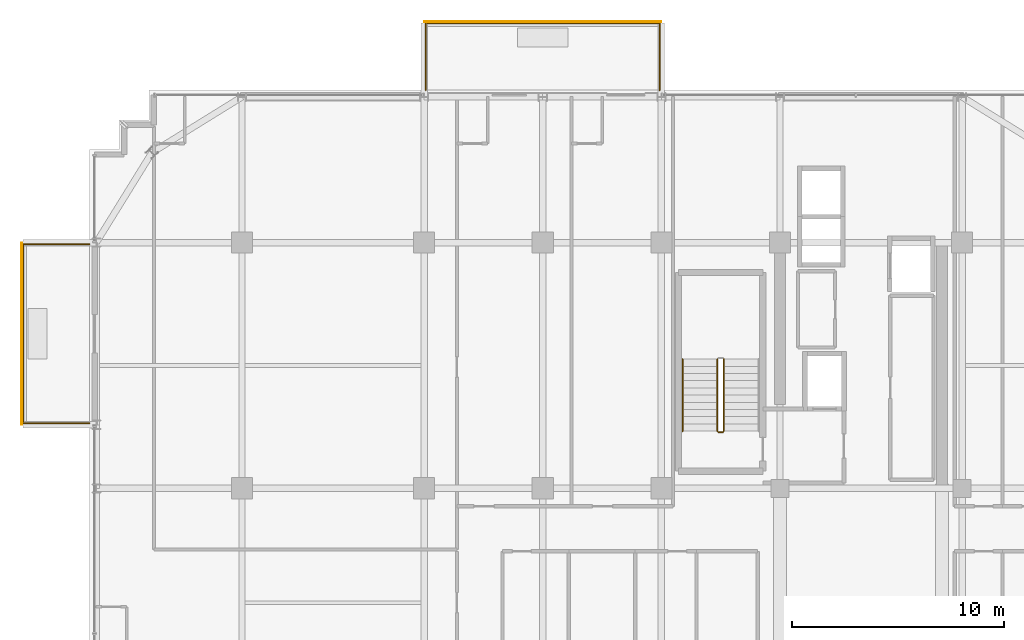
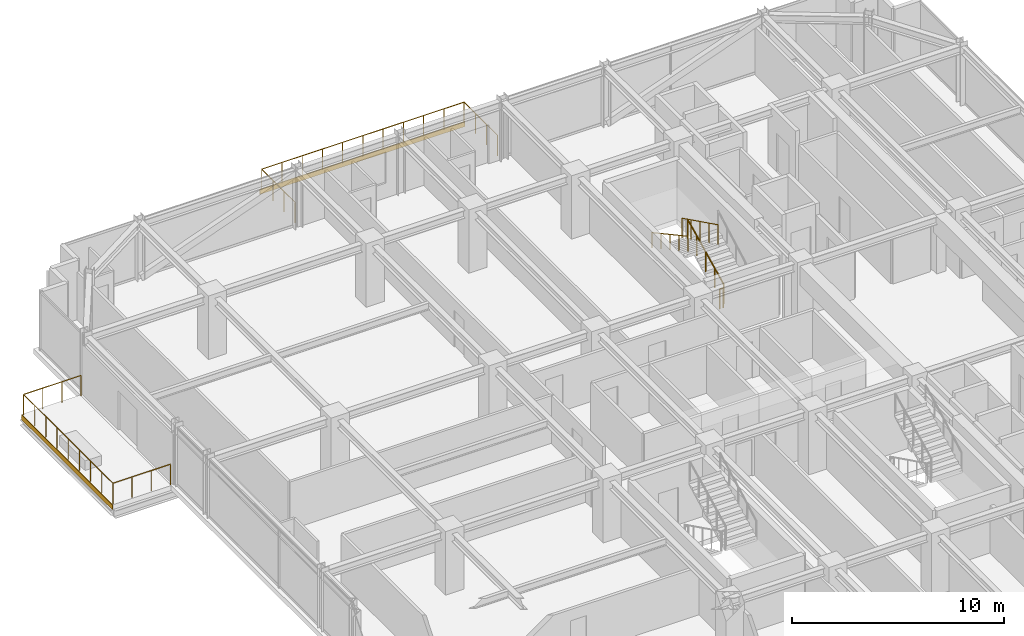
# One storey, part 39 of 41: 6 railings, 2 coverings.
"""IFC4 building model written with IfcOpenShell, lengths in metres."""

from ifc_helpers import new_model, si_unit, direction, frame, origin, origin_2d, place, context, subcontext, project, spatial, rectangle, circle, extrude, source, transform, mapped, material, layer, layer_set, type_object, element, save


model = new_model("IFC4")

# Units and contexts
model_context = context("Model", 3, precision=1e-05, world=origin(), true_north=direction((0.0, 1.0)))
body_context = subcontext(model_context, "Body", "Model", "MODEL_VIEW")
ifc_project = project(units=[si_unit("LENGTHUNIT", "METRE"), si_unit("AREAUNIT", "SQUARE_METRE"), si_unit("VOLUMEUNIT", "CUBIC_METRE"), si_unit("PLANEANGLEUNIT", "RADIAN"), si_unit("MASSUNIT", "GRAM", prefix="KILO")], contexts=[model_context])

# Site, building, storey
site_placement = place(None, origin())
site = spatial("IfcSite", under=ifc_project, at=site_placement, CompositionType="ELEMENT")
building_placement = place(site_placement, origin())
building = spatial("IfcBuilding", under=site, at=building_placement, Name="Nahalor Promenade Grand Hotel", CompositionType="ELEMENT")
storey_placement = place(building_placement, frame((0.0, 0.0, 227.10009765625)))
storey = spatial("IfcBuildingStorey", under=building, at=storey_placement, Name="L58", CompositionType="ELEMENT", Elevation=227.10009765625)

# Railings
ifc_material_1 = material(Name="Anodised Bronze Aluminium EN AW-6063 T6", Category="aluminium")
railing_type_1 = type_object("IfcRailingType", Name="Bronze Balcony Guardrail 1200 mm", PredefinedType="GUARDRAIL", material=ifc_material_1)
railing_1_placement = place(storey_placement, frame((-8.320068359375, 24.199951171875, 0.0)))
element("IfcRailing", 1, at=railing_1_placement, inside=storey, type_object=railing_type_1, Name="L58 Balcony Guardrail 1", PredefinedType="GUARDRAIL", context=body_context, shape_type="SweptSolid", body=[
    extrude(circle(Radius=0.024048, at=origin_2d()), frame((0.0, 0.0, 1.17578125), z_axis=(0.0, 1.0, 0.0), x_axis=(-1.0, 0.0, 0.0)), (0.0, 0.0, 1.0), 3.158203125),
    extrude(circle(Radius=0.024048, at=origin_2d()), frame((0.001953125, 3.16015625, 1.17578125), z_axis=(1.0, 0.0, 0.0), x_axis=(0.0, 1.0, 0.0)), (0.0, 0.0, 1.0), 11.0361328125),
    extrude(circle(Radius=0.024048, at=origin_2d()), frame((11.0400390625, 3.158203125, 1.17578125), z_axis=(0.0, -1.0, 0.0), x_axis=(1.0, 0.0, 0.0)), (0.0, 0.0, 1.0), 3.158203125),
    extrude(circle(Radius=0.020996, at=origin_2d()), origin(), (0.0, 0.0, 1.0), 1.14990234375),
    extrude(circle(Radius=0.020996, at=origin_2d()), frame((0.0, 1.053466796875, 0.0)), (0.0, 0.0, 1.0), 1.14990234375),
    extrude(circle(Radius=0.020996, at=origin_2d()), frame((0.0, 2.106689453125, 0.0)), (0.0, 0.0, 1.0), 1.14990234375),
    extrude(circle(Radius=0.020996, at=origin_2d()), frame((0.0, 3.16015625, 0.0)), (0.0, 0.0, 1.0), 1.14990234375),
    extrude(circle(Radius=0.020996, at=origin_2d()), frame((1.10400390625, 3.16015625, 0.0)), (0.0, 0.0, 1.0), 1.14990234375),
    extrude(circle(Radius=0.020996, at=origin_2d()), frame((2.2080078125, 3.16015625, 0.0)), (0.0, 0.0, 1.0), 1.14990234375),
    extrude(circle(Radius=0.020996, at=origin_2d()), frame((3.31201171875, 3.16015625, 0.0)), (0.0, 0.0, 1.0), 1.14990234375),
    extrude(circle(Radius=0.020996, at=origin_2d()), frame((4.416015625, 3.16015625, 0.0)), (0.0, 0.0, 1.0), 1.14990234375),
    extrude(circle(Radius=0.020996, at=origin_2d()), frame((5.52001953125, 3.16015625, 0.0)), (0.0, 0.0, 1.0), 1.14990234375),
    extrude(circle(Radius=0.020996, at=origin_2d()), frame((6.6240234375, 3.16015625, 0.0)), (0.0, 0.0, 1.0), 1.14990234375),
    extrude(circle(Radius=0.020996, at=origin_2d()), frame((7.72802734375, 3.16015625, 0.0)), (0.0, 0.0, 1.0), 1.14990234375),
    extrude(circle(Radius=0.020996, at=origin_2d()), frame((8.83203125, 3.16015625, 0.0)), (0.0, 0.0, 1.0), 1.14990234375),
    extrude(circle(Radius=0.020996, at=origin_2d()), frame((9.93603515625, 3.16015625, 0.0)), (0.0, 0.0, 1.0), 1.14990234375),
    extrude(circle(Radius=0.020996, at=origin_2d()), frame((11.0400390625, 3.16015625, 0.0)), (0.0, 0.0, 1.0), 1.14990234375),
    extrude(circle(Radius=0.020996, at=origin_2d()), frame((11.0400390625, 2.106689453125, 0.0)), (0.0, 0.0, 1.0), 1.14990234375),
    extrude(circle(Radius=0.020996, at=origin_2d()), frame((11.0400390625, 1.053466796875, 0.0)), (0.0, 0.0, 1.0), 1.14990234375),
    extrude(circle(Radius=0.020996, at=origin_2d()), frame((11.0400390625, 0.0, 0.0)), (0.0, 0.0, 1.0), 1.14990234375),
])
railing_2_placement = place(storey_placement, frame((-24.199951171875, 8.47998046875, 0.0)))
element("IfcRailing", 2, at=railing_2_placement, inside=storey, type_object=railing_type_1, Name="L58 Balcony Guardrail 2", PredefinedType="GUARDRAIL", context=body_context, shape_type="SweptSolid", body=[
    extrude(circle(Radius=0.024048, at=origin_2d()), frame((0.0, 0.0, 1.17578125), z_axis=(-1.0, 0.0, 0.0), x_axis=(0.0, -1.0, 0.0)), (0.0, 0.0, 1.0), 3.128173828125),
    extrude(circle(Radius=0.024048, at=origin_2d()), frame((-3.130126953125, 0.001953125, 1.17578125), z_axis=(0.0, 1.0, 0.0), x_axis=(-1.0, 0.0, 0.0)), (0.0, 0.0, 1.0), 8.43603515625),
    extrude(circle(Radius=0.024048, at=origin_2d()), frame((-3.128173828125, 8.43994140625, 1.17578125), z_axis=(1.0, 0.0, 0.0), x_axis=(0.0, 1.0, 0.0)), (0.0, 0.0, 1.0), 3.128173828125),
    extrude(circle(Radius=0.020996, at=origin_2d()), origin(), (0.0, 0.0, 1.0), 1.14990234375),
    extrude(circle(Radius=0.020996, at=origin_2d()), frame((-1.04345703125, 0.0, 0.0)), (0.0, 0.0, 1.0), 1.14990234375),
    extrude(circle(Radius=0.020996, at=origin_2d()), frame((-2.086669921875, 0.0, 0.0)), (0.0, 0.0, 1.0), 1.14990234375),
    extrude(circle(Radius=0.020996, at=origin_2d()), frame((-3.130126953125, 0.0, 0.0)), (0.0, 0.0, 1.0), 1.14990234375),
    extrude(circle(Radius=0.020996, at=origin_2d()), frame((-3.130126953125, 1.054931640625, 0.0)), (0.0, 0.0, 1.0), 1.14990234375),
    extrude(circle(Radius=0.020996, at=origin_2d()), frame((-3.130126953125, 2.10986328125, 0.0)), (0.0, 0.0, 1.0), 1.14990234375),
    extrude(circle(Radius=0.020996, at=origin_2d()), frame((-3.130126953125, 3.1650390625, 0.0)), (0.0, 0.0, 1.0), 1.14990234375),
    extrude(circle(Radius=0.020996, at=origin_2d()), frame((-3.130126953125, 4.219970703125, 0.0)), (0.0, 0.0, 1.0), 1.14990234375),
    extrude(circle(Radius=0.020996, at=origin_2d()), frame((-3.130126953125, 5.27490234375, 0.0)), (0.0, 0.0, 1.0), 1.14990234375),
    extrude(circle(Radius=0.020996, at=origin_2d()), frame((-3.130126953125, 6.330078125, 0.0)), (0.0, 0.0, 1.0), 1.14990234375),
    extrude(circle(Radius=0.020996, at=origin_2d()), frame((-3.130126953125, 7.385009765625, 0.0)), (0.0, 0.0, 1.0), 1.14990234375),
    extrude(circle(Radius=0.020996, at=origin_2d()), frame((-3.130126953125, 8.43994140625, 0.0)), (0.0, 0.0, 1.0), 1.14990234375),
    extrude(circle(Radius=0.020996, at=origin_2d()), frame((-2.086669921875, 8.43994140625, 0.0)), (0.0, 0.0, 1.0), 1.14990234375),
    extrude(circle(Radius=0.020996, at=origin_2d()), frame((-1.04345703125, 8.43994140625, 0.0)), (0.0, 0.0, 1.0), 1.14990234375),
    extrude(circle(Radius=0.020996, at=origin_2d()), frame((0.0, 8.43994140625, 0.0)), (0.0, 0.0, 1.0), 1.14990234375),
])
ifc_material_2 = material(Name="Steel S355JR", Category="steel")
railing_type_2 = type_object("IfcRailingType", Name="Steel Stair Guardrail 1150 mm", PredefinedType="GUARDRAIL", material=ifc_material_2)
railing_3_placement = place(storey_placement, frame((5.75, 8.10009765625, 0.16796875)))
element("IfcRailing", 3, at=railing_3_placement, inside=storey, type_object=railing_type_2, Name="L58 ST1 stair guard 1", PredefinedType="GUARDRAIL", context=body_context, shape_type="SweptSolid", body=[
    extrude(circle(Radius=0.024048, at=origin_2d()), frame((0.0, 0.0, 1.1259765625), z_axis=(0.0, 0.896324230515, 0.443399226197), x_axis=(-1.0, 0.0, 0.0)), (0.0, 0.0, 1.0), 3.793212890625),
    extrude(circle(Radius=0.020996, at=origin_2d()), origin(), (0.0, 0.0, 1.0), 1.099853515625),
    extrude(circle(Radius=0.020996, at=origin_2d()), frame((0.0, 0.85009765625, 0.42041015625)), (0.0, 0.0, 1.0), 1.099853515625),
    extrude(circle(Radius=0.020996, at=origin_2d()), frame((0.0, 1.699951171875, 0.8408203125)), (0.0, 0.0, 1.0), 1.099853515625),
    extrude(circle(Radius=0.020996, at=origin_2d()), frame((0.0, 2.5498046875, 1.261474609375)), (0.0, 0.0, 1.0), 1.099853515625),
    extrude(circle(Radius=0.020996, at=origin_2d()), frame((0.0, 3.39990234375, 1.681884765625)), (0.0, 0.0, 1.0), 1.099853515625),
])
railing_4_placement = place(storey_placement, frame((5.449951171875, 11.5, 2.01806640625)))
element("IfcRailing", 4, at=railing_4_placement, inside=storey, type_object=railing_type_2, Name="L58 ST1 stair guard 3", PredefinedType="GUARDRAIL", context=body_context, shape_type="SweptSolid", body=[
    extrude(circle(Radius=0.024048, at=origin_2d()), frame((0.0, 0.0, 1.1259765625), z_axis=(0.0, -0.896324230515, 0.443399226197), x_axis=(1.0, 0.0, 0.0)), (0.0, 0.0, 1.0), 3.793212890625),
    extrude(circle(Radius=0.020996, at=origin_2d()), origin(), (0.0, 0.0, 1.0), 1.099853515625),
    extrude(circle(Radius=0.020996, at=origin_2d()), frame((0.0, -0.85009765625, 0.42041015625)), (0.0, 0.0, 1.0), 1.099853515625),
    extrude(circle(Radius=0.020996, at=origin_2d()), frame((0.0, -1.699951171875, 0.8408203125)), (0.0, 0.0, 1.0), 1.099853515625),
    extrude(circle(Radius=0.020996, at=origin_2d()), frame((0.0, -2.5498046875, 1.261474609375)), (0.0, 0.0, 1.0), 1.099853515625),
    extrude(circle(Radius=0.020996, at=origin_2d()), frame((0.0, -3.39990234375, 1.681884765625)), (0.0, 0.0, 1.0), 1.099853515625),
])
railing_5_placement = place(storey_placement, frame((5.699951171875, 8.050048828125, 0.0)))
element("IfcRailing", 5, at=railing_5_placement, inside=storey, type_object=railing_type_2, Name="L58 ST1 stair guard 4", PredefinedType="GUARDRAIL", context=body_context, shape_type="SweptSolid", body=[
    extrude(circle(Radius=0.024048, at=origin_2d()), frame((0.0, 0.0, 1.1259765625), z_axis=(-1.0, 0.0, 0.0), x_axis=(0.0, -1.0, 0.0)), (0.0, 0.0, 1.0), 0.199951171875),
    extrude(circle(Radius=0.020996, at=origin_2d()), origin(), (0.0, 0.0, 1.0), 1.099853515625),
    extrude(circle(Radius=0.020996, at=origin_2d()), frame((-0.199951171875, 0.0, 0.0)), (0.0, 0.0, 1.0), 1.099853515625),
])
railing_type_3 = type_object("IfcRailingType", Name="Steel Stair Handrail 900 mm", PredefinedType="HANDRAIL", material=ifc_material_2)
railing_6_placement = place(storey_placement, frame((3.800048828125, 11.5, 2.01806640625)))
element("IfcRailing", 6, at=railing_6_placement, inside=storey, type_object=railing_type_3, Name="L58 ST1 stair handrail 2", PredefinedType="HANDRAIL", context=body_context, shape_type="SweptSolid", body=[
    extrude(circle(Radius=0.024048, at=origin_2d()), frame((0.0, 0.0, 0.8759765625), z_axis=(0.0, -0.87837241229, 0.47797688786), x_axis=(1.0, 0.0, 0.0)), (0.0, 0.0, 1.0), 3.87060546875),
    extrude(circle(Radius=0.020996, at=origin_2d()), origin(), (0.0, 0.0, 1.0), 0.849853515625),
    extrude(circle(Radius=0.020996, at=origin_2d()), frame((0.0, -0.85009765625, 0.46240234375)), (0.0, 0.0, 1.0), 0.849853515625),
    extrude(circle(Radius=0.020996, at=origin_2d()), frame((0.0, -1.699951171875, 0.925048828125)), (0.0, 0.0, 1.0), 0.849853515625),
    extrude(circle(Radius=0.020996, at=origin_2d()), frame((0.0, -2.5498046875, 1.3876953125)), (0.0, 0.0, 1.0), 0.849853515625),
    extrude(circle(Radius=0.020996, at=origin_2d()), frame((0.0, -3.39990234375, 1.85009765625)), (0.0, 0.0, 1.0), 0.849853515625),
])

# Coverings
ifc_layer = layer(ifc_material_1, 0.0400390625)
ifc_layer_set = layer_set([ifc_layer], Name="Anodised Bronze Aluminium EN AW-6063 T6")
covering_type = type_object("IfcCoveringType", Name="Bronze Spandrel Cladding Panel", PredefinedType="CLADDING", material=ifc_layer_set)
shared_shape_1 = source(origin(), body_context, "Body", "SweptSolid", [
    extrude(rectangle(XDim=11.199951171875, YDim=0.0400390625, at=origin_2d()), origin(), (0.0, 0.0, 1.0), 0.280029296875),
])
covering_1_placement = place(storey_placement, frame((-2.800048828125, 27.419921875, -0.2802734375), z_axis=(0.0, 0.0, 1.0), x_axis=(1.0, 0.0, 0.0)))
element("IfcCovering", 7, at=covering_1_placement, inside=storey, type_object=covering_type, Name="CL-L58-BALC-01", PredefinedType="CLADDING", context=body_context, shape_type="MappedRepresentation", body=[
    mapped(shared_shape_1, transform((0.0, 0.0, 0.0), scale=1.0)),
])
shared_shape_2 = source(origin(), body_context, "Body", "SweptSolid", [
    extrude(rectangle(XDim=8.60009765625, YDim=0.0400390625, at=origin_2d()), origin(), (0.0, 0.0, 1.0), 0.280029296875),
])
covering_2_placement = place(storey_placement, frame((-27.389892578125, 12.699951171875, -0.2802734375), z_axis=(0.0, 0.0, 1.0), x_axis=(0.0, 1.0, 0.0)))
element("IfcCovering", 8, at=covering_2_placement, inside=storey, type_object=covering_type, Name="CL-L58-BALC-02", PredefinedType="CLADDING", context=body_context, shape_type="MappedRepresentation", body=[
    mapped(shared_shape_2, transform((0.0, 0.0, 0.0), scale=1.0)),
])

save(model, "model.ifc")
